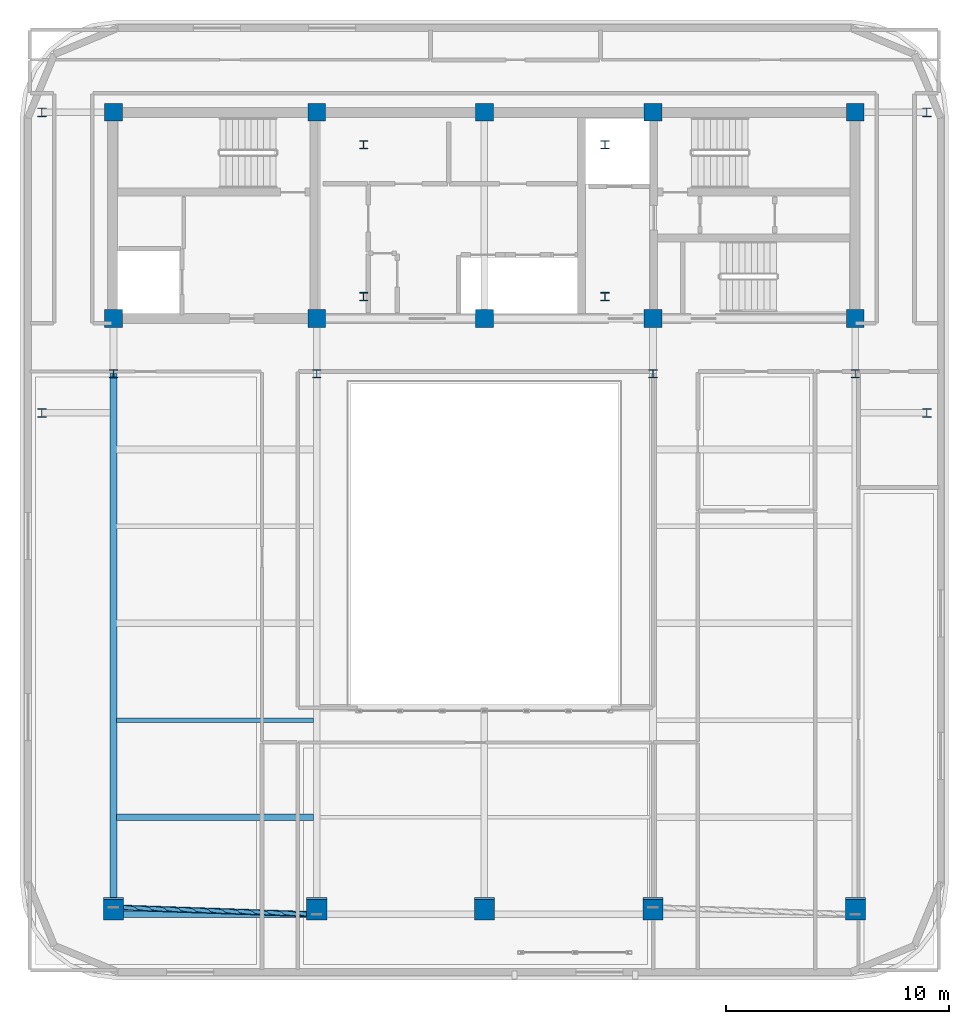
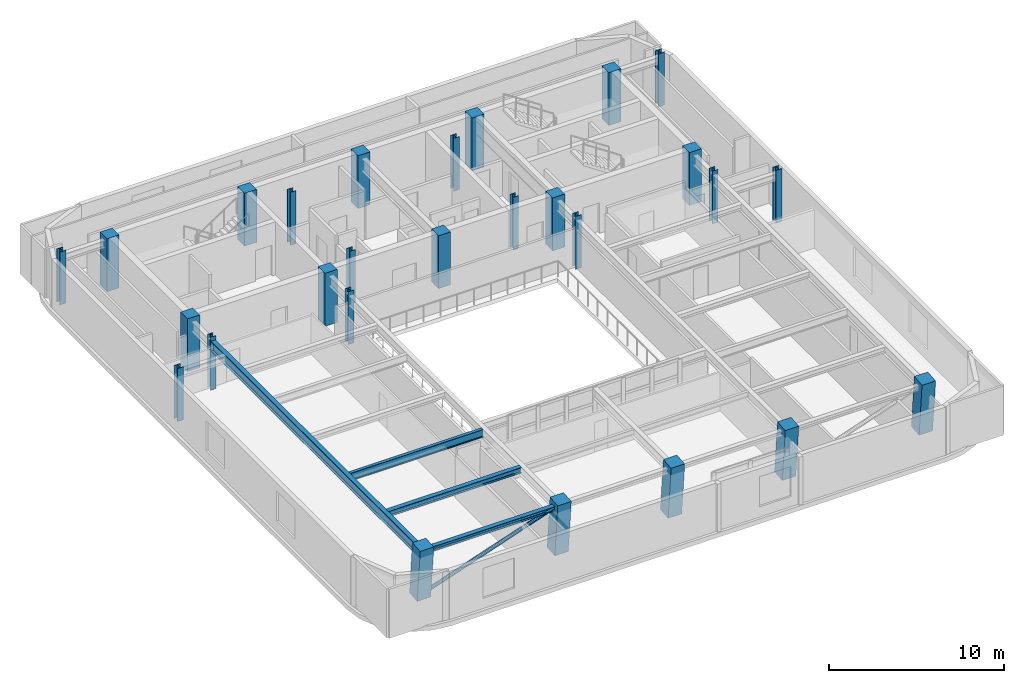
# One storey, part 1 of 12: 27 columns, 4 beams, 1 member.
"""IFC4 building model written with IfcOpenShell, lengths in metres."""

from ifc_helpers import new_model, si_unit, direction, frame, origin, origin_2d, place, context, subcontext, project, spatial, rectangle, hollow_circle, i_section, extrude, material, material_profile, profile_set, type_object, element, save


model = new_model("IFC4")

# Units and contexts
model_context = context("Model", 3, precision=1e-05, world=origin(), true_north=direction((0.0, 1.0)))
body_context = subcontext(model_context, "Body", "Model", "MODEL_VIEW")
ifc_project = project(units=[si_unit("LENGTHUNIT", "METRE"), si_unit("AREAUNIT", "SQUARE_METRE"), si_unit("VOLUMEUNIT", "CUBIC_METRE"), si_unit("PLANEANGLEUNIT", "RADIAN"), si_unit("MASSUNIT", "GRAM", prefix="KILO")], contexts=[model_context])

# Site, building, storey
site_placement = place(None, origin())
site = spatial("IfcSite", under=ifc_project, at=site_placement, CompositionType="ELEMENT")
building_placement = place(site_placement, origin())
building = spatial("IfcBuilding", under=site, at=building_placement, Name="Zarnavel Station Tower", CompositionType="ELEMENT")
storey_placement = place(building_placement, frame((0.0, 0.0, 273.199951171875)))
storey = spatial("IfcBuildingStorey", under=building, at=storey_placement, Name="L74", CompositionType="ELEMENT", Elevation=273.199951171875)

# Columns
ifc_material_1 = material(Name="Steel S355J2", Category="steel")
ifc_material_profile_1 = material_profile(ifc_material_1, i_section(OverallWidth=0.407958984375, OverallDepth=0.39990234375, WebThickness=0.02490234375, FlangeThickness=0.0390625, FilletRadius=0.014892578125, at=origin_2d()), Name="HD400x287")
ifc_profile_set_1 = profile_set([ifc_material_profile_1], Name="Steel S355J2")
column_type_1 = type_object("IfcColumnType", Name="EC_HD287", PredefinedType="COLUMN", material=ifc_profile_set_1)
for number, where, z_axis, x_axis, name in (
    (1, (9.0, 23.60009765625, 0.0), (0.0, 0.0, 1.0), (1.0, 0.0, 0.0), "L74 Inner Wing Spine Column 1-1"),
    (2, (9.0, 37.050048828125, 0.0), (0.0, 0.0, 1.0), (1.0, 0.0, 0.0), "L74 Inner Wing Spine Column 1-2"),
    (3, (48.60009765625, 23.60009765625, 0.0), (0.0, 0.0, 1.0), (1.0, 0.0, 0.0), "L74 Inner Wing Spine Column 2-1"),
    (4, (48.60009765625, 37.050048828125, 0.0), (0.0, 0.0, 1.0), (1.0, 0.0, 0.0), "L74 Inner Wing Spine Column 2-2"),
):
    element("IfcColumn", number, at=place(storey_placement, frame(where, z_axis=z_axis, x_axis=x_axis)), inside=storey, type_object=column_type_1, Name=name, PredefinedType="COLUMN", context=body_context, shape_type="SweptSolid", body=[
        extrude(i_section(OverallWidth=0.407958984375, OverallDepth=0.39990234375, WebThickness=0.02490234375, FlangeThickness=0.0390625, FilletRadius=0.014892578125, at=origin_2d()), origin(), (0.0, 0.0, 1.0), 3.699951171875),
    ])
ifc_material_2 = material(Name="Steel S355J2", Category="steel")
ifc_material_profile_2 = material_profile(ifc_material_2, i_section(OverallWidth=0.3740234375, OverallDepth=0.3720703125, WebThickness=0.0166015625, FlangeThickness=0.027099609375, FilletRadius=0.014892578125, at=origin_2d()), Name="HD360x196")
ifc_profile_set_2 = profile_set([ifc_material_profile_2], Name="Steel S355J2")
column_type_2 = type_object("IfcColumnType", Name="IC_HD196", PredefinedType="COLUMN", material=ifc_profile_set_2)
for number, where, z_axis, x_axis, name in (
    (5, (23.39990234375, 28.800048828125, 0.0), (0.0, 0.0, 1.0), (1.0, 0.0, 0.0), "L74 Mast Spine Column 1"),
    (6, (34.199951171875, 28.800048828125, 0.0), (0.0, 0.0, 1.0), (1.0, 0.0, 0.0), "L74 Mast Spine Column 2"),
    (7, (34.199951171875, 35.60009765625, 0.0), (0.0, 0.0, 1.0), (1.0, 0.0, 0.0), "L74 Mast Spine Column 3"),
    (8, (23.39990234375, 35.60009765625, 0.0), (0.0, 0.0, 1.0), (1.0, 0.0, 0.0), "L74 Mast Spine Column 4"),
    (9, (12.199951171875, 25.35009765625, 0.0), (0.0, 0.0, 1.0), (1.0, 0.0, 0.0), "L74 Inner Spine Column 1"),
    (10, (21.300048828125, 25.35009765625, 0.0), (0.0, 0.0, 1.0), (1.0, 0.0, 0.0), "L74 Inner Spine Column 2"),
    (11, (36.35009765625, 25.35009765625, 0.0), (0.0, 0.0, 1.0), (1.0, 0.0, 0.0), "L74 Inner Spine Column 4"),
    (12, (45.39990234375, 25.35009765625, 0.0), (0.0, 0.0, 1.0), (1.0, 0.0, 0.0), "L74 Inner Spine Column 5"),
):
    element("IfcColumn", number, at=place(storey_placement, frame(where, z_axis=z_axis, x_axis=x_axis)), inside=storey, type_object=column_type_2, Name=name, PredefinedType="COLUMN", context=body_context, shape_type="SweptSolid", body=[
        extrude(i_section(OverallWidth=0.3740234375, OverallDepth=0.3720703125, WebThickness=0.0166015625, FlangeThickness=0.027099609375, FilletRadius=0.014892578125, at=origin_2d()), origin(), (0.0, 0.0, 1.0), 3.699951171875),
    ])
ifc_material_3 = material(Name="Concrete C45/55", Category="concrete")
ifc_material_profile_3 = material_profile(ifc_material_3, rectangle(XDim=0.800048828125, YDim=0.800048828125, at=origin_2d()), Name="RC800x800")
ifc_profile_set_3 = profile_set([ifc_material_profile_3], Name="Concrete C45/55")
column_type_3 = type_object("IfcColumnType", Name="IC_RC800", PredefinedType="COLUMN", material=ifc_profile_set_3)
for number, where, z_axis, x_axis, name in (
    (13, (12.199951171875, 27.820068359375, 0.0), (0.0, 0.0, 1.0), (1.0, 0.0, 0.0), "L74 Core Spine Column 1-1"),
    (14, (12.199951171875, 37.050048828125, 0.0), (0.0, 0.0, 1.0), (1.0, 0.0, 0.0), "L74 Core Spine Column 1-2"),
    (15, (21.300048828125, 27.820068359375, 0.0), (0.0, 0.0, 1.0), (1.0, 0.0, 0.0), "L74 Core Spine Column 2-1"),
    (16, (21.300048828125, 37.050048828125, 0.0), (0.0, 0.0, 1.0), (1.0, 0.0, 0.0), "L74 Core Spine Column 2-2"),
    (17, (28.800048828125, 27.820068359375, 0.0), (0.0, 0.0, 1.0), (1.0, 0.0, 0.0), "L74 Core Spine Column 3-1"),
    (18, (28.800048828125, 37.050048828125, 0.0), (0.0, 0.0, 1.0), (1.0, 0.0, 0.0), "L74 Core Spine Column 3-2"),
    (19, (36.35009765625, 27.820068359375, 0.0), (0.0, 0.0, 1.0), (1.0, 0.0, 0.0), "L74 Core Spine Column 4-1"),
    (20, (36.35009765625, 37.050048828125, 0.0), (0.0, 0.0, 1.0), (1.0, 0.0, 0.0), "L74 Core Spine Column 4-2"),
    (21, (45.39990234375, 27.820068359375, 0.0), (0.0, 0.0, 1.0), (1.0, 0.0, 0.0), "L74 Core Spine Column 5-1"),
    (22, (45.39990234375, 37.050048828125, 0.0), (0.0, 0.0, 1.0), (1.0, 0.0, 0.0), "L74 Core Spine Column 5-2"),
):
    element("IfcColumn", number, at=place(storey_placement, frame(where, z_axis=z_axis, x_axis=x_axis)), inside=storey, type_object=column_type_3, Name=name, PredefinedType="COLUMN", context=body_context, shape_type="SweptSolid", body=[
        extrude(rectangle(XDim=0.800048828125, YDim=0.800048828125, at=origin_2d()), origin(), (0.0, 0.0, 1.0), 3.699951171875),
    ])
ifc_material_4 = material(Name="Concrete C50/60", Category="concrete")
ifc_material_profile_4 = material_profile(ifc_material_4, rectangle(XDim=0.89990234375, YDim=0.89990234375, at=origin_2d()), Name="RC900x900")
ifc_profile_set_4 = profile_set([ifc_material_profile_4], Name="Concrete C50/60")
column_type_4 = type_object("IfcColumnType", Name="MC_RC900", PredefinedType="COLUMN", material=ifc_profile_set_4)
for number, where, z_axis, x_axis, name in (
    (23, (12.199951171875, 1.470703125, 0.0), (0.0, -0.090292812226, 0.995915261486), (1.0, 0.0, 0.0), "L74 Raked South Mega-Column 1"),
    (24, (21.300048828125, 1.470703125, 0.0), (0.0, -0.090292812226, 0.995915261486), (1.0, 0.0, 0.0), "L74 Raked South Mega-Column 2"),
    (25, (28.800048828125, 1.470703125, 0.0), (0.0, -0.090292812226, 0.995915261486), (1.0, 0.0, 0.0), "L74 Raked South Mega-Column 3"),
    (26, (36.35009765625, 1.470703125, 0.0), (0.0, -0.090292812226, 0.995915261486), (1.0, 0.0, 0.0), "L74 Raked South Mega-Column 4"),
    (27, (45.39990234375, 1.470703125, 0.0), (0.0, -0.090292812226, 0.995915261486), (1.0, 0.0, 0.0), "L74 Raked South Mega-Column 5"),
):
    element("IfcColumn", number, at=place(storey_placement, frame(where, z_axis=z_axis, x_axis=x_axis)), inside=storey, type_object=column_type_4, Name=name, PredefinedType="COLUMN", context=body_context, shape_type="SweptSolid", body=[
        extrude(rectangle(XDim=0.89990234375, YDim=0.89990234375, at=origin_2d()), origin(), (0.0, 0.0, 1.0), 3.715087890625),
    ])

# Member
ifc_material_5 = material(Name="Steel S355J2", Category="steel")
ifc_material_profile_5 = material_profile(ifc_material_5, hollow_circle(Radius=0.122314453125, WallThickness=0.010009765625, at=origin_2d()), Name="CHS244.5x10")
ifc_profile_set_5 = profile_set([ifc_material_profile_5], Name="Steel S355J2")
member_type = type_object("IfcMemberType", Name="DB_EXT_CHS245", PredefinedType="BRACE", material=ifc_profile_set_5)
member_placement = place(storey_placement, frame((12.199951171875, 1.470703125, 0.0), z_axis=(0.935595182058, -0.03187760587, 0.35163258318), x_axis=(0.034052247375, 0.999420054056, 0.0)))
element("IfcMember", 28, at=member_placement, inside=storey, type_object=member_type, Name="L74 Persian Exterior Diagonal Frame Brace 1", PredefinedType="BRACE", context=body_context, shape_type="SweptSolid", body=[
    extrude(hollow_circle(Radius=0.122314453125, WallThickness=0.010009765625, at=origin_2d()), origin(), (0.0, 0.0, 1.0), 9.7265625),
])

# Beams
ifc_material_6 = material(Name="Steel S355J2", Category="steel")
ifc_material_profile_6 = material_profile(ifc_material_6, i_section(OverallWidth=0.300048828125, OverallDepth=0.320068359375, WebThickness=0.011474609375, FlangeThickness=0.0205078125, FilletRadius=0.027099609375, at=origin_2d()), Name="HEB320")
ifc_profile_set_6 = profile_set([ifc_material_profile_6], Name="Steel S355J2")
beam_type_1 = type_object("IfcBeamType", Name="EB_HEB320", PredefinedType="SPANDREL", material=ifc_profile_set_6)
beam_1_placement = place(storey_placement, frame((12.199951171875, 1.16064453125, 3.260009765625), z_axis=(1.0, 0.0, 0.0), x_axis=(0.0, 1.0, 0.0)))
element("IfcBeam", 29, at=beam_1_placement, inside=storey, type_object=beam_type_1, Name="L74 South Raked Spandrel 1", PredefinedType="SPANDREL", context=body_context, shape_type="SweptSolid", body=[
    extrude(i_section(OverallWidth=0.300048828125, OverallDepth=0.320068359375, WebThickness=0.011474609375, FlangeThickness=0.0205078125, FilletRadius=0.027099609375, at=origin_2d()), origin(), (0.0, 0.0, 1.0), 9.10009765625),
])
ifc_material_7 = material(Name="Steel S355J2", Category="steel")
ifc_material_profile_7 = material_profile(ifc_material_7, i_section(OverallWidth=0.300048828125, OverallDepth=0.389892578125, WebThickness=0.010986328125, FlangeThickness=0.01904296875, FilletRadius=0.027099609375, at=origin_2d()), Name="HEA400")
ifc_profile_set_7 = profile_set([ifc_material_profile_7], Name="Steel S355J2")
beam_type_2 = type_object("IfcBeamType", Name="FB_HEA400", PredefinedType="BEAM", material=ifc_profile_set_7)
beam_2_placement = place(storey_placement, frame((12.344970703125, 5.50048828125, 3.22509765625), z_axis=(1.0, 0.0, 0.0), x_axis=(0.0, 1.0, 0.0)))
element("IfcBeam", 30, at=beam_2_placement, inside=storey, type_object=beam_type_2, Name="L74 West Bay Beam 1", PredefinedType="BEAM", context=body_context, shape_type="SweptSolid", body=[
    extrude(i_section(OverallWidth=0.300048828125, OverallDepth=0.389892578125, WebThickness=0.010986328125, FlangeThickness=0.01904296875, FilletRadius=0.027099609375, at=origin_2d()), origin(), (0.0, 0.0, 1.0), 8.81005859375),
])
ifc_material_8 = material(Name="Steel S355J2", Category="steel")
ifc_material_profile_8 = material_profile(ifc_material_8, i_section(OverallWidth=0.2099609375, OverallDepth=0.550048828125, WebThickness=0.010986328125, FlangeThickness=0.01708984375, FilletRadius=0.02392578125, at=origin_2d()), Name="IPE550")
ifc_profile_set_8 = profile_set([ifc_material_profile_8], Name="Steel S355J2")
beam_type_3 = type_object("IfcBeamType", Name="FB_IPE550", PredefinedType="BEAM", material=ifc_profile_set_8)
beam_3_placement = place(storey_placement, frame((12.344970703125, 9.840576171875, 3.14501953125), z_axis=(1.0, 0.0, 0.0), x_axis=(0.0, 1.0, 0.0)))
element("IfcBeam", 31, at=beam_3_placement, inside=storey, type_object=beam_type_3, Name="L74 West Bay Beam 2", PredefinedType="BEAM", context=body_context, shape_type="SweptSolid", body=[
    extrude(i_section(OverallWidth=0.2099609375, OverallDepth=0.550048828125, WebThickness=0.010986328125, FlangeThickness=0.01708984375, FilletRadius=0.02392578125, at=origin_2d()), origin(), (0.0, 0.0, 1.0), 8.81005859375),
])
ifc_material_9 = material(Name="Steel S355J2", Category="steel")
ifc_material_profile_9 = material_profile(ifc_material_9, i_section(OverallWidth=0.300048828125, OverallDepth=0.699951171875, WebThickness=0.01708984375, FlangeThickness=0.031982421875, FilletRadius=0.027099609375, at=origin_2d()), Name="HEB700")
ifc_profile_set_9 = profile_set([ifc_material_profile_9], Name="Steel S355J2")
beam_type_4 = type_object("IfcBeamType", Name="FG_HEB700", PredefinedType="USERDEFINED", material=ifc_profile_set_9)
beam_4_placement = place(storey_placement, frame((12.199951171875, 1.16064453125, 3.070068359375), z_axis=(0.0, 1.0, 0.0), x_axis=(-1.0, 0.0, 0.0)))
element("IfcBeam", 32, at=beam_4_placement, inside=storey, type_object=beam_type_4, Name="L74 South-Zone NS Girder 1", ObjectType="GIRDER", PredefinedType="USERDEFINED", context=body_context, shape_type="SweptSolid", body=[
    extrude(i_section(OverallWidth=0.300048828125, OverallDepth=0.699951171875, WebThickness=0.01708984375, FlangeThickness=0.031982421875, FilletRadius=0.027099609375, at=origin_2d()), origin(), (0.0, 0.0, 1.0), 24.189453125),
])

save(model, "model.ifc")
